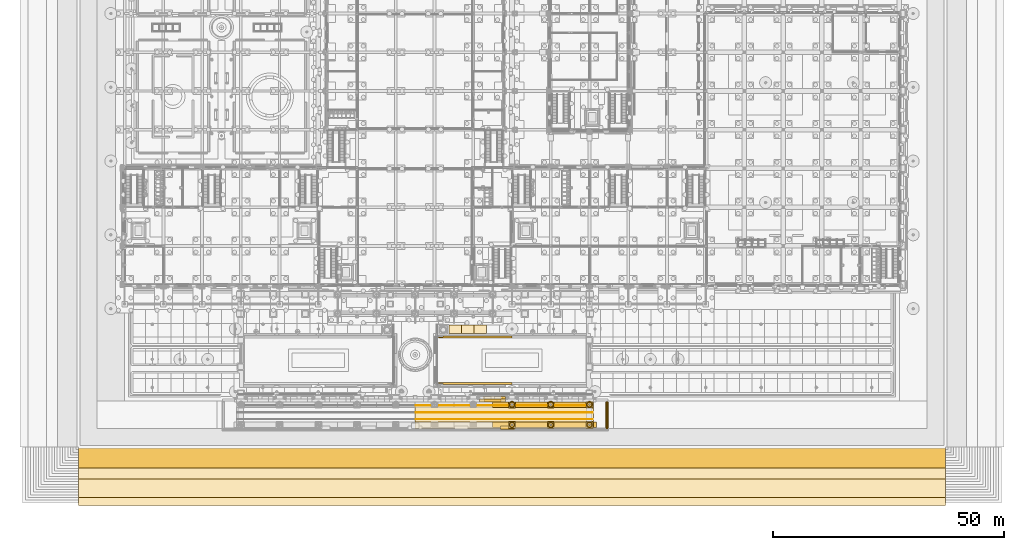
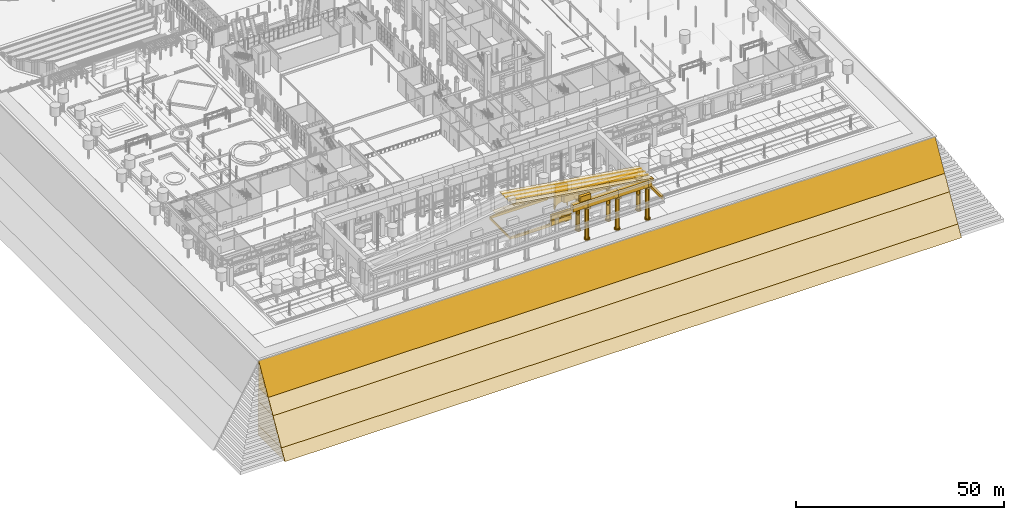
# One storey, part 126 of 222: 60 coverings.
"""IFC4 building model written with IfcOpenShell, lengths in metres."""

from ifc_helpers import new_model, si_unit, direction, frame, origin, origin_2d, place, context, subcontext, project, spatial, polyline, rectangle, hollow_circle, outline, extrude, material, layer, layer_set, material_profile, profile_set, type_object, element, save


model = new_model("IFC4")

# Units and contexts
model_context = context("Model", 3, precision=1e-05, world=origin(), true_north=direction((0.0, 1.0)))
body_context = subcontext(model_context, "Body", "Model", "MODEL_VIEW")
ifc_project = project(units=[si_unit("LENGTHUNIT", "METRE"), si_unit("AREAUNIT", "SQUARE_METRE"), si_unit("VOLUMEUNIT", "CUBIC_METRE"), si_unit("PLANEANGLEUNIT", "RADIAN"), si_unit("MASSUNIT", "GRAM", prefix="KILO")], contexts=[model_context])

# Site, building, storey
site_placement = place(None, origin())
site = spatial("IfcSite", under=ifc_project, at=site_placement, CompositionType="ELEMENT")
building_placement = place(site_placement, origin())
building = spatial("IfcBuilding", under=site, at=building_placement, Name="Sava Quay Ferry Terminal", CompositionType="ELEMENT")
storey_placement = place(building_placement, origin())
storey = spatial("IfcBuildingStorey", under=building, at=storey_placement, Name="L00", CompositionType="ELEMENT", Elevation=0.0)

# Coverings
ifc_material_1 = material(Name="Limestone Mutalj", Category="masonry")
ifc_layer_1 = layer(ifc_material_1, 0.60009765625)
ifc_layer_set_1 = layer_set([ifc_layer_1], Name="Limestone Mutalj")
covering_type_1 = type_object("IfcCoveringType", Name="Arcade spandrel 600", PredefinedType="CLADDING", material=ifc_layer_set_1)
covering_1_placement = place(storey_placement, frame((77.0, 0.39990234375, 3.199951171875), z_axis=(0.0, 1.0, 0.0), x_axis=(0.0, 0.0, 1.0)))
element("IfcCovering", 1, at=covering_1_placement, inside=storey, type_object=covering_type_1, Name="Arcade spandrel", PredefinedType="CLADDING", context=body_context, shape_type="SweptSolid", body=[
    extrude(outline(polyline([(0.0, 0.0), (1.300048828125, 0.0), (1.300048828125, 5.60009765625), (0.0, 5.60009765625), (0.334228515625, 0.500244140625), (0.60009765625, 1.039794921875), (0.79345703125, 1.609619140625), (0.91064453125, 2.19970703125), (0.949951171875, 2.800048828125), (0.91064453125, 3.400390625), (0.79345703125, 3.990478515625), (0.60009765625, 4.56005859375), (0.334228515625, 5.099609375), (0.0, 0.0)])), origin(), (0.0, 0.0, -1.0), 0.60009765625),
])
ifc_material_2 = material(Name="Limestone Mutalj", Category="masonry")
ifc_layer_2 = layer(ifc_material_2, 0.5)
ifc_layer_set_2 = layer_set([ifc_layer_2], Name="Limestone Mutalj")
covering_type_2 = type_object("IfcCoveringType", Name="Arch archivolt 500", PredefinedType="MOLDING", material=ifc_layer_set_2)
covering_2_placement = place(storey_placement, frame((80.25, 0.39990234375, 4.1279296875), z_axis=(0.0, -1.0, 0.0), x_axis=(0.993307380301, 0.0, -0.115500858175)))
element("IfcCovering", 2, at=covering_2_placement, inside=storey, type_object=covering_type_2, Name="Arch archivolt", PredefinedType="MOLDING", context=body_context, shape_type="SweptSolid", body=[
    extrude(outline(polyline([(0.0, 0.0), (0.16910047517119814, 3.469446951953614e-18), (0.3386916034020246, -0.0063333722524431535), (0.5092865965134697, -0.019186226538567767), (0.6803722426845432, -0.03837245307713555), (0.8524617537362355, -0.06407816164938478), (1.025154711654367, -0.09708726921265261), (1.1988797329048202, -0.13685836549424574), (1.3734789061580595, -0.18414716899979858), (1.5487661216328463, -0.2394668915503016), (1.7251981942467658, -0.30251862955770537), (1.9024593013407467, -0.3748138200332787), (2.0810062578323745, -0.4560535593889721), (2.2605232410625775, -0.5477492846360541), (2.4415516613040493, -0.6503296122404072), (2.3707453490783825, -0.04139532709967292), (2.1917190189078077, 0.04396702589496604), (2.013922141231474, 0.12086984337877266), (1.8368415042283905, 0.18949923513298525), (1.66090572436444, 0.25039661143029707), (1.4856015898186314, 0.3037480820519464), (1.3113013201534418, 0.3505800706399143), (1.1375762989029885, 0.39035116692150745), (0.9645844373968073, 0.42381708940236024), (0.7925682423195425, 0.4510060365341754), (0.6210145018502029, 0.4721041180981913), (0.4503800309063738, 0.48741023768245734), (0.28017981611876747, 0.4968679983835679), (0.11089887085667155, 0.5005337971049285), (-0.05800421515260716, 0.4988362503124215), (0.0, 0.0)])), origin(), (0.0, 0.0, -1.0), 0.5),
])
ifc_material_3 = material(Name="Limestone Mutalj", Category="masonry")
ifc_layer_3 = layer(ifc_material_3, 0.60009765625)
ifc_layer_set_3 = layer_set([ifc_layer_3], Name="Limestone Mutalj")
covering_type_3 = type_object("IfcCoveringType", Name="Attic arch head panel 600", PredefinedType="CLADDING", material=ifc_layer_set_3)
covering_3_placement = place(storey_placement, frame((78.0, -0.199951171875, 7.39990234375), z_axis=(0.0, -1.0, 0.0), x_axis=(0.130360467782, 0.0, 0.991466665319)))
element("IfcCovering", 3, at=covering_3_placement, inside=storey, type_object=covering_type_3, Name="Attic arch head panel", PredefinedType="CLADDING", context=body_context, shape_type="SweptSolid", body=[
    extrude(outline(polyline([(0.0, 0.0), (0.47007576696975106, -6.938893903907228e-18), (0.9239096038088954, -0.12180908706656961), (1.3307996686807666, -0.3566594363796859), (1.6628474956806976, -0.6890123392533513), (1.8978308560459949, -1.095934230411302), (2.019343616297553, -1.5500332017691405), (2.0193117900114737, -2.019866911447554), (1.8975027029449039, -2.473700748286698), (1.6626523536317879, -2.880590813158569), (1.330331277044202, -3.212880697449838), (0.9234093858862513, -3.447864057815135), (0.46931041452841277, -3.5693768180666936), (7.17792824395459, -2.6873112993731523), (7.26196079742431, 0.9548204086712947), (0.0, 0.0)])), origin(), (0.0, 0.0, -1.0), 0.60009765625),
])
ifc_material_4 = material(Name="Limestone Mutalj", Category="masonry")
ifc_layer_4 = layer(ifc_material_4, 0.60009765625)
ifc_layer_set_4 = layer_set([ifc_layer_4], Name="Limestone Mutalj")
covering_type_4 = type_object("IfcCoveringType", Name="Attic window sill panel 600", PredefinedType="CLADDING", material=ifc_layer_set_4)
covering_4_placement = place(storey_placement, frame((77.0, -0.199951171875, 4.800048828125), z_axis=(0.0, -1.0, 0.0), x_axis=(1.0, 0.0, 0.0)))
element("IfcCovering", 4, at=covering_4_placement, inside=storey, type_object=covering_type_4, Name="Attic window sill panel", PredefinedType="CLADDING", context=body_context, shape_type="SweptSolid", body=[
    extrude(outline(polyline([(0.0, 0.0), (5.60009765625, 0.0), (5.60009765625, 1.39990234375), (0.0, 1.39990234375), (0.0, 0.0)])), origin(), (0.0, 0.0, -1.0), 0.60009765625),
])
ifc_material_5 = material(Name="Foliage clipped hedge")
ifc_layer_5 = layer(ifc_material_5, 0.449951171875)
ifc_layer_set_5 = layer_set([ifc_layer_5], Name="Foliage clipped hedge")
covering_type_5 = type_object("IfcCoveringType", Name="Clipped hedge 450", PredefinedType="CLADDING", material=ifc_layer_set_5)
covering_5_placement = place(storey_placement, origin())
element("IfcCovering", 5, at=covering_5_placement, inside=storey, type_object=covering_type_5, Name="Clipped hedge", PredefinedType="CLADDING", context=body_context, shape_type="SweptSolid", body=[
    extrude(outline(polyline([(69.010009765625, 3.550048828125), (84.0, 3.550048828125), (84.0, 3.989990234375), (68.0, 3.989990234375), (67.993896484375, 3.991943359375), (67.990966796875, 3.9951171875), (67.989990234375, 4.0), (67.989990234375, 13.60009765625), (67.990966796875, 13.60498046875), (67.993896484375, 13.60791015625), (68.0, 13.610107421875), (84.0, 13.610107421875), (84.0, 14.050048828125), (69.010009765625, 14.050048828125), (69.010009765625, 13.85009765625), (69.008056640625, 13.843994140625), (69.001953125, 13.840087890625), (67.97607421875, 13.839111328125), (67.929931640625, 13.8291015625), (67.907958984375, 13.822021484375), (67.865966796875, 13.800048828125), (67.830078125, 13.77001953125), (67.81494140625, 13.7529296875), (67.800048828125, 13.73388671875), (67.778076171875, 13.69189453125), (67.77099609375, 13.669921875), (67.764892578125, 13.64697265625), (67.760986328125, 13.6240234375), (67.760009765625, 13.60009765625), (67.760986328125, 3.97607421875), (67.77099609375, 3.929931640625), (67.778076171875, 3.907958984375), (67.800048828125, 3.865966796875), (67.830078125, 3.830078125), (67.866943359375, 3.800048828125), (67.886962890625, 3.7890625), (67.907958984375, 3.778076171875), (67.929931640625, 3.77099609375), (67.952880859375, 3.764892578125), (67.97607421875, 3.760986328125), (68.0, 3.760009765625), (69.0029296875, 3.760009765625), (69.008056640625, 3.756103515625), (69.010009765625, 3.75), (69.010009765625, 3.550048828125)])), origin(), (0.0, 0.0, 1.0), 0.75),
])
ifc_material_6 = material(Name="Limestone Mutalj", Category="masonry")
ifc_layer_6 = layer(ifc_material_6, 0.030029296875)
ifc_layer_set_6 = layer_set([ifc_layer_6], Name="Limestone Mutalj")
covering_type_6 = type_object("IfcCoveringType", Name="Court paving tile 30", PredefinedType="FLOORING", material=ifc_layer_set_6)
covering_6_placement = place(storey_placement, origin())
element("IfcCovering", 6, at=covering_6_placement, inside=storey, type_object=covering_type_6, Name="Limestone paving tile", PredefinedType="FLOORING", context=body_context, shape_type="SweptSolid", body=[
    extrude(outline(polyline([(73.0400390625, 16.5), (73.0400390625, 14.64990234375), (75.780029296875, 14.64990234375), (75.780029296875, 16.5), (73.0400390625, 16.5)])), origin(), (0.0, 0.0, 1.0), 0.030029296875),
])
ifc_material_7 = material(Name="Red sandstone Vrsac", Category="masonry")
ifc_layer_7 = layer(ifc_material_7, 0.030029296875)
ifc_layer_set_7 = layer_set([ifc_layer_7], Name="Red sandstone Vrsac")
covering_type_7 = type_object("IfcCoveringType", Name="Court paving tile sandstone 30", PredefinedType="FLOORING", material=ifc_layer_set_7)
covering_7_placement = place(storey_placement, origin())
element("IfcCovering", 7, at=covering_7_placement, inside=storey, type_object=covering_type_7, Name="Sandstone paving tile", PredefinedType="FLOORING", context=body_context, shape_type="SweptSolid", body=[
    extrude(outline(polyline([(70.31005859375, 16.5), (70.31005859375, 14.64990234375), (73.0400390625, 14.64990234375), (73.0400390625, 16.5), (70.31005859375, 16.5)])), origin(), (0.0, 0.0, 1.0), 0.030029296875),
])
covering_8_placement = place(storey_placement, origin())
element("IfcCovering", 8, at=covering_8_placement, inside=storey, type_object=covering_type_7, Name="Sandstone paving tile", PredefinedType="FLOORING", context=body_context, shape_type="SweptSolid", body=[
    extrude(outline(polyline([(75.780029296875, 16.5), (75.780029296875, 14.64990234375), (78.52001953125, 14.64990234375), (78.52001953125, 16.5), (75.780029296875, 16.5)])), origin(), (0.0, 0.0, 1.0), 0.030029296875),
])
ifc_material_8 = material(Name="Zinc roofing")
ifc_layer_8 = layer(ifc_material_8, 0.25)
ifc_layer_set_8 = layer_set([ifc_layer_8], Name="Zinc roofing")
covering_type_8 = type_object("IfcCoveringType", Name="Gable roof plate 250", PredefinedType="ROOFING", material=ifc_layer_set_8)
covering_9_placement = place(storey_placement, frame((63.0, 0.39990234375, 17.85009765625), z_axis=(0.153208546542, 0.0, 0.988193878379), x_axis=(0.988193878379, 0.0, -0.153208546542)))
element("IfcCovering", 9, at=covering_9_placement, inside=storey, type_object=covering_type_8, Name="Gable roof plate", PredefinedType="ROOFING", context=body_context, shape_type="SweptSolid", body=[
    extrude(outline(polyline([(0.0, 0.0), (39.162306120879926, 0.0), (39.162306120879926, -5.7998046875), (0.0, -5.7998046875), (0.0, 0.0)])), origin(), (0.0, 0.0, -1.0), 0.25),
])
ifc_material_9 = material(Name="Limestone Mutalj ashlar", Category="masonry")
ifc_material_profile_1 = material_profile(ifc_material_9, hollow_circle(Radius=0.75, WallThickness=0.199951171875, at=origin_2d()), Name="Base plinth 1500")
ifc_profile_set_1 = profile_set([ifc_material_profile_1], Name="Limestone Mutalj ashlar")
covering_type_9 = type_object("IfcCoveringType", Name="Giant-order base plinth 1500", PredefinedType="CLADDING", material=ifc_profile_set_1)
for number, where, z_axis, x_axis, name in (
    (10, (84.0, -5.199951171875, 0.0), (0.0, 0.0, 1.0), (1.0, 0.0, 0.0), "Giant-order base plinth"),
    (11, (84.0, -0.800048828125, 0.0), (0.0, 0.0, 1.0), (1.0, 0.0, 0.0), "Giant-order base plinth"),
    (12, (92.39990234375, -5.199951171875, 0.0), (0.0, 0.0, 1.0), (1.0, 0.0, 0.0), "Giant-order base plinth"),
    (13, (92.39990234375, -0.800048828125, 0.0), (0.0, 0.0, 1.0), (1.0, 0.0, 0.0), "Giant-order base plinth"),
    (14, (100.800048828125, -5.199951171875, 0.0), (0.0, 0.0, 1.0), (1.0, 0.0, 0.0), "Giant-order base plinth"),
    (15, (100.800048828125, -0.800048828125, 0.0), (0.0, 0.0, 1.0), (1.0, 0.0, 0.0), "Giant-order base plinth"),
):
    element("IfcCovering", number, at=place(storey_placement, frame(where, z_axis=z_axis, x_axis=x_axis)), inside=storey, type_object=covering_type_9, Name=name, PredefinedType="CLADDING", context=body_context, shape_type="SweptSolid", body=[
        extrude(hollow_circle(Radius=0.75, WallThickness=0.199951171875, at=origin_2d()), origin(), (0.0, 0.0, 1.0), 0.179931640625),
    ])
ifc_material_10 = material(Name="Limestone Mutalj ashlar", Category="masonry")
ifc_material_profile_2 = material_profile(ifc_material_10, hollow_circle(Radius=0.64990234375, WallThickness=0.10009765625, at=origin_2d()), Name="Base roll 1300")
ifc_profile_set_2 = profile_set([ifc_material_profile_2], Name="Limestone Mutalj ashlar")
covering_type_10 = type_object("IfcCoveringType", Name="Giant-order base roll 1300", PredefinedType="CLADDING", material=ifc_profile_set_2)
for number, where, z_axis, x_axis, name in (
    (16, (84.0, -5.199951171875, 0.179931640625), (0.0, 0.0, 1.0), (1.0, 0.0, 0.0), "Giant-order base roll"),
    (17, (84.0, -0.800048828125, 0.179931640625), (0.0, 0.0, 1.0), (1.0, 0.0, 0.0), "Giant-order base roll"),
    (18, (92.39990234375, -5.199951171875, 0.179931640625), (0.0, 0.0, 1.0), (1.0, 0.0, 0.0), "Giant-order base roll"),
    (19, (92.39990234375, -0.800048828125, 0.179931640625), (0.0, 0.0, 1.0), (1.0, 0.0, 0.0), "Giant-order base roll"),
    (20, (100.800048828125, -5.199951171875, 0.179931640625), (0.0, 0.0, 1.0), (1.0, 0.0, 0.0), "Giant-order base roll"),
    (21, (100.800048828125, -0.800048828125, 0.179931640625), (0.0, 0.0, 1.0), (1.0, 0.0, 0.0), "Giant-order base roll"),
):
    element("IfcCovering", number, at=place(storey_placement, frame(where, z_axis=z_axis, x_axis=x_axis)), inside=storey, type_object=covering_type_10, Name=name, PredefinedType="CLADDING", context=body_context, shape_type="SweptSolid", body=[
        extrude(hollow_circle(Radius=0.64990234375, WallThickness=0.10009765625, at=origin_2d()), origin(), (0.0, 0.0, 1.0), 0.18017578125),
    ])
ifc_material_11 = material(Name="Limestone Mutalj", Category="masonry")
ifc_layer_9 = layer(ifc_material_11, 0.5)
ifc_layer_set_9 = layer_set([ifc_layer_9], Name="Limestone Mutalj")
covering_type_11 = type_object("IfcCoveringType", Name="Giant-order capital 1500", PredefinedType="CLADDING", material=ifc_layer_set_9)
for number, where, z_axis, x_axis, name in (
    (22, (84.0, -5.199951171875, 9.10009765625), (0.0, 0.0, 1.0), (1.0, 0.0, 0.0), "Giant-order capital"),
    (23, (84.0, -0.800048828125, 9.10009765625), (0.0, 0.0, 1.0), (1.0, 0.0, 0.0), "Giant-order capital"),
    (24, (92.39990234375, -5.199951171875, 9.10009765625), (0.0, 0.0, 1.0), (1.0, 0.0, 0.0), "Giant-order capital"),
    (25, (92.39990234375, -0.800048828125, 9.10009765625), (0.0, 0.0, 1.0), (1.0, 0.0, 0.0), "Giant-order capital"),
    (26, (100.800048828125, -5.199951171875, 9.10009765625), (0.0, 0.0, 1.0), (1.0, 0.0, 0.0), "Giant-order capital"),
    (27, (100.800048828125, -0.800048828125, 9.10009765625), (0.0, 0.0, 1.0), (1.0, 0.0, 0.0), "Giant-order capital"),
):
    element("IfcCovering", number, at=place(storey_placement, frame(where, z_axis=z_axis, x_axis=x_axis)), inside=storey, type_object=covering_type_11, Name=name, PredefinedType="CLADDING", context=body_context, shape_type="SweptSolid", body=[
        extrude(rectangle(XDim=1.5, YDim=1.5, at=origin_2d()), origin(), (0.0, 0.0, 1.0), 0.5),
    ])
ifc_material_12 = material(Name="Limestone Mutalj ashlar", Category="masonry")
ifc_material_profile_3 = material_profile(ifc_material_12, hollow_circle(Radius=0.550048828125, WallThickness=0.37158203125, at=origin_2d()), Name="Stone shaft D1100")
ifc_profile_set_3 = profile_set([ifc_material_profile_3], Name="Limestone Mutalj ashlar")
covering_type_12 = type_object("IfcCoveringType", Name="Giant-order stone shaft D1100", PredefinedType="CLADDING", material=ifc_profile_set_3)
covering_10_placement = place(storey_placement, frame((84.0, -5.199951171875, 0.0), z_axis=(0.0, 0.0, 1.0), x_axis=(1.0, 0.0, 0.0)))
element("IfcCovering", 28, at=covering_10_placement, inside=storey, type_object=covering_type_12, Name="Giant-order column shaft", PredefinedType="CLADDING", context=body_context, shape_type="SweptSolid", body=[
    extrude(hollow_circle(Radius=0.550048828125, WallThickness=0.37158203125, at=origin_2d()), origin(), (0.0, 0.0, 1.0), 4.5),
])
covering_11_placement = place(storey_placement, frame((84.0, -5.199951171875, 4.800048828125), z_axis=(0.0, 0.0, 1.0), x_axis=(1.0, 0.0, 0.0)))
element("IfcCovering", 29, at=covering_11_placement, inside=storey, type_object=covering_type_12, Name="Giant-order column shaft", PredefinedType="CLADDING", context=body_context, shape_type="SweptSolid", body=[
    extrude(hollow_circle(Radius=0.550048828125, WallThickness=0.37158203125, at=origin_2d()), origin(), (0.0, 0.0, 1.0), 4.300048828125),
])
covering_12_placement = place(storey_placement, frame((84.0, -0.800048828125, 0.0), z_axis=(0.0, 0.0, 1.0), x_axis=(1.0, 0.0, 0.0)))
element("IfcCovering", 30, at=covering_12_placement, inside=storey, type_object=covering_type_12, Name="Giant-order column shaft", PredefinedType="CLADDING", context=body_context, shape_type="SweptSolid", body=[
    extrude(hollow_circle(Radius=0.550048828125, WallThickness=0.37158203125, at=origin_2d()), origin(), (0.0, 0.0, 1.0), 4.5),
])
covering_13_placement = place(storey_placement, frame((84.0, -0.800048828125, 4.800048828125), z_axis=(0.0, 0.0, 1.0), x_axis=(1.0, 0.0, 0.0)))
element("IfcCovering", 31, at=covering_13_placement, inside=storey, type_object=covering_type_12, Name="Giant-order column shaft", PredefinedType="CLADDING", context=body_context, shape_type="SweptSolid", body=[
    extrude(hollow_circle(Radius=0.550048828125, WallThickness=0.37158203125, at=origin_2d()), origin(), (0.0, 0.0, 1.0), 4.300048828125),
])
covering_14_placement = place(storey_placement, frame((92.39990234375, -5.199951171875, 0.0), z_axis=(0.0, 0.0, 1.0), x_axis=(1.0, 0.0, 0.0)))
element("IfcCovering", 32, at=covering_14_placement, inside=storey, type_object=covering_type_12, Name="Giant-order column shaft", PredefinedType="CLADDING", context=body_context, shape_type="SweptSolid", body=[
    extrude(hollow_circle(Radius=0.550048828125, WallThickness=0.37158203125, at=origin_2d()), origin(), (0.0, 0.0, 1.0), 4.5),
])
covering_15_placement = place(storey_placement, frame((92.39990234375, -5.199951171875, 4.800048828125), z_axis=(0.0, 0.0, 1.0), x_axis=(1.0, 0.0, 0.0)))
element("IfcCovering", 33, at=covering_15_placement, inside=storey, type_object=covering_type_12, Name="Giant-order column shaft", PredefinedType="CLADDING", context=body_context, shape_type="SweptSolid", body=[
    extrude(hollow_circle(Radius=0.550048828125, WallThickness=0.37158203125, at=origin_2d()), origin(), (0.0, 0.0, 1.0), 4.300048828125),
])
covering_16_placement = place(storey_placement, frame((92.39990234375, -0.800048828125, 0.0), z_axis=(0.0, 0.0, 1.0), x_axis=(1.0, 0.0, 0.0)))
element("IfcCovering", 34, at=covering_16_placement, inside=storey, type_object=covering_type_12, Name="Giant-order column shaft", PredefinedType="CLADDING", context=body_context, shape_type="SweptSolid", body=[
    extrude(hollow_circle(Radius=0.550048828125, WallThickness=0.37158203125, at=origin_2d()), origin(), (0.0, 0.0, 1.0), 4.5),
])
covering_17_placement = place(storey_placement, frame((92.39990234375, -0.800048828125, 4.800048828125), z_axis=(0.0, 0.0, 1.0), x_axis=(1.0, 0.0, 0.0)))
element("IfcCovering", 35, at=covering_17_placement, inside=storey, type_object=covering_type_12, Name="Giant-order column shaft", PredefinedType="CLADDING", context=body_context, shape_type="SweptSolid", body=[
    extrude(hollow_circle(Radius=0.550048828125, WallThickness=0.37158203125, at=origin_2d()), origin(), (0.0, 0.0, 1.0), 4.300048828125),
])
covering_18_placement = place(storey_placement, frame((100.800048828125, -5.199951171875, 0.0), z_axis=(0.0, 0.0, 1.0), x_axis=(1.0, 0.0, 0.0)))
element("IfcCovering", 36, at=covering_18_placement, inside=storey, type_object=covering_type_12, Name="Giant-order column shaft", PredefinedType="CLADDING", context=body_context, shape_type="SweptSolid", body=[
    extrude(hollow_circle(Radius=0.550048828125, WallThickness=0.37158203125, at=origin_2d()), origin(), (0.0, 0.0, 1.0), 4.5),
])
covering_19_placement = place(storey_placement, frame((100.800048828125, -5.199951171875, 4.800048828125), z_axis=(0.0, 0.0, 1.0), x_axis=(1.0, 0.0, 0.0)))
element("IfcCovering", 37, at=covering_19_placement, inside=storey, type_object=covering_type_12, Name="Giant-order column shaft", PredefinedType="CLADDING", context=body_context, shape_type="SweptSolid", body=[
    extrude(hollow_circle(Radius=0.550048828125, WallThickness=0.37158203125, at=origin_2d()), origin(), (0.0, 0.0, 1.0), 4.300048828125),
])
covering_20_placement = place(storey_placement, frame((100.800048828125, -0.800048828125, 0.0), z_axis=(0.0, 0.0, 1.0), x_axis=(1.0, 0.0, 0.0)))
element("IfcCovering", 38, at=covering_20_placement, inside=storey, type_object=covering_type_12, Name="Giant-order column shaft", PredefinedType="CLADDING", context=body_context, shape_type="SweptSolid", body=[
    extrude(hollow_circle(Radius=0.550048828125, WallThickness=0.37158203125, at=origin_2d()), origin(), (0.0, 0.0, 1.0), 4.5),
])
covering_21_placement = place(storey_placement, frame((100.800048828125, -0.800048828125, 4.800048828125), z_axis=(0.0, 0.0, 1.0), x_axis=(1.0, 0.0, 0.0)))
element("IfcCovering", 39, at=covering_21_placement, inside=storey, type_object=covering_type_12, Name="Giant-order column shaft", PredefinedType="CLADDING", context=body_context, shape_type="SweptSolid", body=[
    extrude(hollow_circle(Radius=0.550048828125, WallThickness=0.37158203125, at=origin_2d()), origin(), (0.0, 0.0, 1.0), 4.300048828125),
])
ifc_material_13 = material(Name="Limestone Mutalj", Category="masonry")
ifc_layer_10 = layer(ifc_material_13, 0.39990234375)
ifc_layer_set_10 = layer_set([ifc_layer_10], Name="Limestone Mutalj")
covering_type_13 = type_object("IfcCoveringType", Name="Lane roof parapet 400", PredefinedType="CLADDING", material=ifc_layer_set_10)
covering_22_placement = place(storey_placement, frame((104.60009765625, -3.10009765625, 4.800048828125), z_axis=(0.0, 0.0, 1.0), x_axis=(1.0, 0.0, 0.0)))
element("IfcCovering", 40, at=covering_22_placement, inside=storey, type_object=covering_type_13, Name="Lane roof parapet", PredefinedType="CLADDING", context=body_context, shape_type="SweptSolid", body=[
    extrude(rectangle(XDim=0.39990234375, YDim=5.800048828125, at=origin_2d()), origin(), (0.0, 0.0, 1.0), 0.89990234375),
])
ifc_material_14 = material(Name="Limestone Mutalj", Category="masonry")
ifc_layer_11 = layer(ifc_material_14, 0.60009765625)
ifc_layer_set_11 = layer_set([ifc_layer_11], Name="Limestone Mutalj")
covering_type_14 = type_object("IfcCoveringType", Name="Lane roof parapet coping 600", PredefinedType="MOLDING", material=ifc_layer_set_11)
covering_23_placement = place(storey_placement, frame((104.60009765625, -3.050048828125, 5.699951171875), z_axis=(0.0, 0.0, 1.0), x_axis=(1.0, 0.0, 0.0)))
element("IfcCovering", 41, at=covering_23_placement, inside=storey, type_object=covering_type_14, Name="Lane roof parapet coping", PredefinedType="MOLDING", context=body_context, shape_type="SweptSolid", body=[
    extrude(rectangle(XDim=0.60009765625, YDim=5.699951171875, at=origin_2d()), origin(), (0.0, 0.0, 1.0), 0.14990234375),
])
ifc_material_15 = material(Name="Compacted gravel fill")
ifc_layer_12 = layer(ifc_material_15, 7.97998046875)
ifc_layer_set_12 = layer_set([ifc_layer_12], Name="Compacted gravel fill")
covering_type_15 = type_object("IfcCoveringType", Name="Made ground at quay level", PredefinedType="CLADDING", material=ifc_layer_set_12)
covering_24_placement = place(storey_placement, frame((-10.0, -10.0, -0.02001953125), z_axis=(1.0, 0.0, 0.0), x_axis=(0.0, 1.0, 0.0)))
element("IfcCovering", 42, at=covering_24_placement, inside=storey, type_object=covering_type_15, Name="Made ground at quay level", PredefinedType="CLADDING", context=body_context, shape_type="SweptSolid", body=[
    extrude(outline(polyline([(0.0, 0.0), (-4.607421875, -7.97998046875), (0.0, -7.97998046875), (0.0, 0.0)])), origin(), (0.0, 0.0, 1.0), 188.0),
])
ifc_material_16 = material(Name="Marl")
ifc_layer_13 = layer(ifc_material_16, 3.0)
ifc_layer_set_13 = layer_set([ifc_layer_13], Name="Marl")
covering_type_16 = type_object("IfcCoveringType", Name="Marl", PredefinedType="CLADDING", material=ifc_layer_set_13)
covering_25_placement = place(storey_placement, frame((-10.0, -10.0, -19.0), z_axis=(1.0, 0.0, 0.0), x_axis=(0.0, 1.0, 0.0)))
element("IfcCovering", 43, at=covering_25_placement, inside=storey, type_object=covering_type_16, Name="Marl", PredefinedType="CLADDING", context=body_context, shape_type="SweptSolid", body=[
    extrude(outline(polyline([(0.0, 0.0), (-10.9580078125, 0.0), (-12.690185546875, -3.0), (0.0, -3.0), (0.0, 0.0)])), origin(), (0.0, 0.0, 1.0), 188.0),
])
ifc_material_17 = material(Name="Limestone Mutalj", Category="masonry")
ifc_layer_14 = layer(ifc_material_17, 0.800048828125)
ifc_layer_set_14 = layer_set([ifc_layer_14], Name="Limestone Mutalj")
covering_type_17 = type_object("IfcCoveringType", Name="Portico cartouche 800", PredefinedType="CLADDING", material=ifc_layer_set_14)
covering_26_placement = place(storey_placement, frame((83.0, -5.800048828125, 12.099853515625), z_axis=(0.0, 0.0, 1.0), x_axis=(1.0, 0.0, 0.0)))
element("IfcCovering", 44, at=covering_26_placement, inside=storey, type_object=covering_type_17, Name="Portico cartouche", PredefinedType="CLADDING", context=body_context, shape_type="SweptSolid", body=[
    extrude(rectangle(XDim=3.0, YDim=0.800048828125, at=origin_2d()), origin(), (0.0, 0.0, 1.0), 1.60009765625),
])
ifc_material_18 = material(Name="Limestone Mutalj", Category="masonry")
ifc_layer_15 = layer(ifc_material_18, 0.60009765625)
ifc_layer_set_15 = layer_set([ifc_layer_15], Name="Limestone Mutalj")
covering_type_18 = type_object("IfcCoveringType", Name="Portico cornice 600", PredefinedType="MOLDING", material=ifc_layer_set_15)
covering_27_placement = place(storey_placement, frame((102.0, -5.199951171875, 11.0), z_axis=(0.0, 0.0, 1.0), x_axis=(1.0, 0.0, 0.0)))
element("IfcCovering", 45, at=covering_27_placement, inside=storey, type_object=covering_type_18, Name="Portico cornice return", PredefinedType="MOLDING", context=body_context, shape_type="SweptSolid", body=[
    extrude(rectangle(XDim=0.60009765625, YDim=1.199951171875, at=origin_2d()), origin(), (0.0, 0.0, 1.0), 0.60009765625),
])
ifc_material_19 = material(Name="Limestone Mutalj", Category="masonry")
ifc_layer_16 = layer(ifc_material_19, 2.0)
ifc_layer_set_16 = layer_set([ifc_layer_16], Name="Limestone Mutalj")
covering_type_19 = type_object("IfcCoveringType", Name="Portico entablature 2000", PredefinedType="CLADDING", material=ifc_layer_set_16)
covering_28_placement = place(storey_placement, frame((81.89990234375, -5.199951171875, 9.60009765625), z_axis=(0.0, 0.0, 1.0), x_axis=(1.0, 0.0, 0.0)))
element("IfcCovering", 46, at=covering_28_placement, inside=storey, type_object=covering_type_19, Name="Portico entablature", PredefinedType="CLADDING", context=body_context, shape_type="SweptSolid", body=[
    extrude(rectangle(XDim=4.199951171875, YDim=1.199951171875, at=origin_2d()), origin(), (0.0, 0.0, 1.0), 2.0),
])
for number, where, z_axis, x_axis, name in (
    (47, (88.199951171875, -5.199951171875, 9.60009765625), (0.0, 0.0, 1.0), (1.0, 0.0, 0.0), "Portico entablature"),
    (48, (96.60009765625, -5.199951171875, 9.60009765625), (0.0, 0.0, 1.0), (1.0, 0.0, 0.0), "Portico entablature"),
):
    element("IfcCovering", number, at=place(storey_placement, frame(where, z_axis=z_axis, x_axis=x_axis)), inside=storey, type_object=covering_type_19, Name=name, PredefinedType="CLADDING", context=body_context, shape_type="SweptSolid", body=[
        extrude(rectangle(XDim=8.39990234375, YDim=1.199951171875, at=origin_2d()), origin(), (0.0, 0.0, 1.0), 2.0),
    ])
covering_29_placement = place(storey_placement, frame((101.25, -5.199951171875, 9.60009765625), z_axis=(0.0, 0.0, 1.0), x_axis=(1.0, 0.0, 0.0)))
element("IfcCovering", 49, at=covering_29_placement, inside=storey, type_object=covering_type_19, Name="Portico entablature", PredefinedType="CLADDING", context=body_context, shape_type="SweptSolid", body=[
    extrude(rectangle(XDim=0.89990234375, YDim=1.199951171875, at=origin_2d()), origin(), (0.0, 0.0, 1.0), 2.0),
])
covering_30_placement = place(storey_placement, frame((81.89990234375, -0.800048828125, 9.60009765625), z_axis=(0.0, 0.0, 1.0), x_axis=(1.0, 0.0, 0.0)))
element("IfcCovering", 50, at=covering_30_placement, inside=storey, type_object=covering_type_19, Name="Portico entablature", PredefinedType="CLADDING", context=body_context, shape_type="SweptSolid", body=[
    extrude(rectangle(XDim=4.199951171875, YDim=1.199951171875, at=origin_2d()), origin(), (0.0, 0.0, 1.0), 2.0),
])
for number, where, z_axis, x_axis, name in (
    (51, (88.199951171875, -0.800048828125, 9.60009765625), (0.0, 0.0, 1.0), (1.0, 0.0, 0.0), "Portico entablature"),
    (52, (96.60009765625, -0.800048828125, 9.60009765625), (0.0, 0.0, 1.0), (1.0, 0.0, 0.0), "Portico entablature"),
):
    element("IfcCovering", number, at=place(storey_placement, frame(where, z_axis=z_axis, x_axis=x_axis)), inside=storey, type_object=covering_type_19, Name=name, PredefinedType="CLADDING", context=body_context, shape_type="SweptSolid", body=[
        extrude(rectangle(XDim=8.39990234375, YDim=1.199951171875, at=origin_2d()), origin(), (0.0, 0.0, 1.0), 2.0),
    ])
covering_31_placement = place(storey_placement, frame((101.25, -0.800048828125, 9.60009765625), z_axis=(0.0, 0.0, 1.0), x_axis=(1.0, 0.0, 0.0)))
element("IfcCovering", 53, at=covering_31_placement, inside=storey, type_object=covering_type_19, Name="Portico entablature", PredefinedType="CLADDING", context=body_context, shape_type="SweptSolid", body=[
    extrude(rectangle(XDim=0.89990234375, YDim=1.199951171875, at=origin_2d()), origin(), (0.0, 0.0, 1.0), 2.0),
])
ifc_material_20 = material(Name="Limestone Mutalj", Category="masonry")
ifc_layer_17 = layer(ifc_material_20, 1.39990234375)
ifc_layer_set_17 = layer_set([ifc_layer_17], Name="Limestone Mutalj")
covering_type_20 = type_object("IfcCoveringType", Name="Raking cornice 500", PredefinedType="MOLDING", material=ifc_layer_set_17)
covering_32_placement = place(storey_placement, frame((63.0, -6.0, 17.60009765625), z_axis=(0.0, -1.0, 0.0), x_axis=(0.988193878379, 0.0, -0.153208546542)))
element("IfcCovering", 54, at=covering_32_placement, inside=storey, type_object=covering_type_20, Name="Raking cornice right", PredefinedType="MOLDING", context=body_context, shape_type="SweptSolid", body=[
    extrude(outline(polyline([(0.0, 0.0), (39.162306120879926, -8.881784197001252e-16), (39.08570184760909, 0.494096939189717), (-0.07660427327083551, 0.49409693918971725), (0.0, 0.0)])), origin(), (0.0, 0.0, -1.0), 1.39990234375),
])
ifc_material_21 = material(Name="Zinc standing seam")
ifc_layer_18 = layer(ifc_material_21, 0.0400390625)
ifc_layer_set_18 = layer_set([ifc_layer_18], Name="Zinc standing seam")
covering_type_21 = type_object("IfcCoveringType", Name="Roof seam rib 60", PredefinedType="ROOFING", material=ifc_layer_set_18)
for number, where, z_axis, x_axis, name in (
    (55, (101.550048828125, -1.030029296875, 11.913818359375), (0.153204790754, 0.0, 0.988194460666), (-0.988194460666, 0.0, 0.153204790754), "Roof seam rib"),
    (56, (101.550048828125, -2.530029296875, 11.913818359375), (0.153204790754, 0.0, 0.988194460666), (-0.988194460666, 0.0, 0.153204790754), "Roof seam rib"),
    (57, (101.550048828125, -4.030029296875, 11.913818359375), (0.153204790754, 0.0, 0.988194460666), (-0.988194460666, 0.0, 0.153204790754), "Roof seam rib"),
):
    element("IfcCovering", number, at=place(storey_placement, frame(where, z_axis=z_axis, x_axis=x_axis)), inside=storey, type_object=covering_type_21, Name=name, PredefinedType="ROOFING", context=body_context, shape_type="SweptSolid", body=[
        extrude(outline(polyline([(0.0, 0.0), (38.858896718074796, 0.0), (38.858896718074796, -0.06005859375), (0.0, -0.06005859375), (0.0, 0.0)])), origin(), (0.0, 0.0, -1.0), 0.0400390625),
    ])
ifc_material_22 = material(Name="Sand and gravel")
ifc_layer_19 = layer(ifc_material_22, 7.0)
ifc_layer_set_19 = layer_set([ifc_layer_19], Name="Sand and gravel")
covering_type_22 = type_object("IfcCoveringType", Name="Sand and gravel", PredefinedType="CLADDING", material=ifc_layer_set_19)
covering_33_placement = place(storey_placement, frame((-10.0, -10.0, -12.0), z_axis=(1.0, 0.0, 0.0), x_axis=(0.0, 1.0, 0.0)))
element("IfcCovering", 58, at=covering_33_placement, inside=storey, type_object=covering_type_22, Name="Sand and gravel", PredefinedType="CLADDING", context=body_context, shape_type="SweptSolid", body=[
    extrude(outline(polyline([(0.0, 0.0), (-6.916748046875, 0.0), (-10.9580078125, -7.0), (0.0, -7.0), (0.0, 0.0)])), origin(), (0.0, 0.0, 1.0), 188.0),
])
ifc_material_23 = material(Name="Silty and sandy clay")
ifc_layer_20 = layer(ifc_material_23, 4.0)
ifc_layer_set_20 = layer_set([ifc_layer_20], Name="Silty and sandy clay")
covering_type_23 = type_object("IfcCoveringType", Name="Silty and sandy clay", PredefinedType="CLADDING", material=ifc_layer_set_20)
covering_34_placement = place(storey_placement, frame((-10.0, -10.0, -8.0), z_axis=(1.0, 0.0, 0.0), x_axis=(0.0, 1.0, 0.0)))
element("IfcCovering", 59, at=covering_34_placement, inside=storey, type_object=covering_type_23, Name="Silty and sandy clay", PredefinedType="CLADDING", context=body_context, shape_type="SweptSolid", body=[
    extrude(outline(polyline([(0.0, 0.0), (-4.607421875, 0.0), (-6.916748046875, -4.0), (0.0, -4.0), (0.0, 0.0)])), origin(), (0.0, 0.0, 1.0), 188.0),
])
ifc_material_24 = material(Name="Limestone Mutalj", Category="masonry")
ifc_layer_21 = layer(ifc_material_24, 0.5)
ifc_layer_set_21 = layer_set([ifc_layer_21], Name="Limestone Mutalj")
covering_type_24 = type_object("IfcCoveringType", Name="Window sill band 400", PredefinedType="MOLDING", material=ifc_layer_set_21)
covering_35_placement = place(storey_placement, frame((79.800048828125, 0.64990234375, 5.800048828125), z_axis=(0.0, 0.0, 1.0), x_axis=(1.0, 0.0, 0.0)))
element("IfcCovering", 60, at=covering_35_placement, inside=storey, type_object=covering_type_24, Name="Window sill band", PredefinedType="MOLDING", context=body_context, shape_type="SweptSolid", body=[
    extrude(rectangle(XDim=4.199951171875, YDim=0.5, at=origin_2d()), origin(), (0.0, 0.0, 1.0), 0.39990234375),
])

save(model, "model.ifc")
